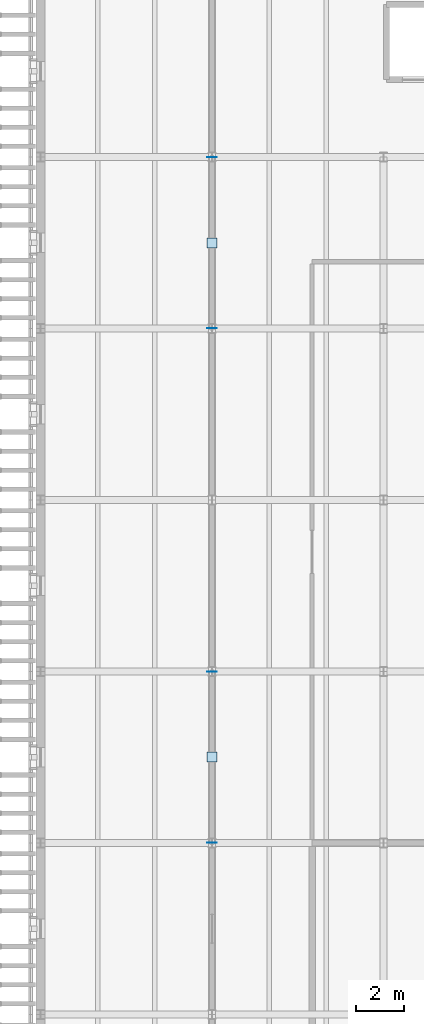
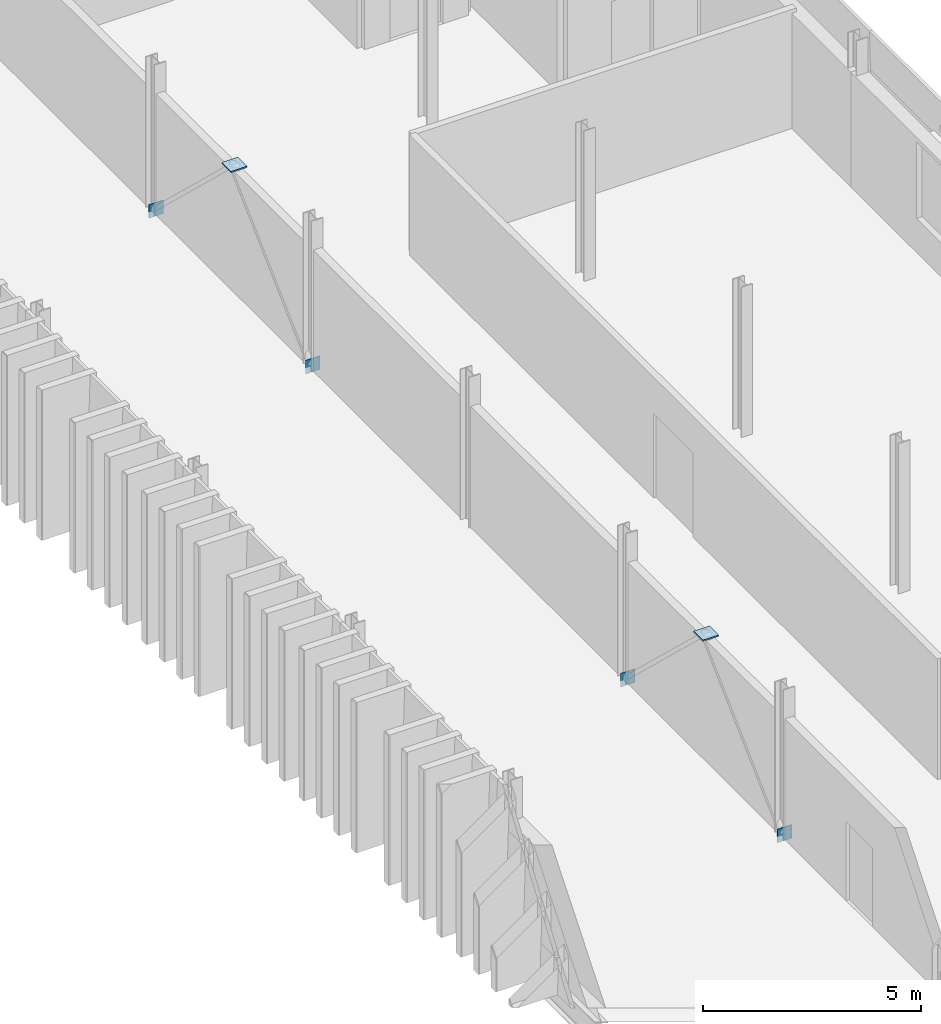
# One storey, part 35 of 66: 6 plates.
"""IFC4 building model written with IfcOpenShell, lengths in metres."""

from ifc_helpers import new_model, si_unit, direction, frame, origin, origin_2d, place, context, subcontext, project, spatial, rectangle, extrude, material, layer, layer_set, type_object, element, save


model = new_model("IFC4")

# Units and contexts
model_context = context("Model", 3, precision=1e-05, world=origin(), true_north=direction((0.0, 1.0)))
body_context = subcontext(model_context, "Body", "Model", "MODEL_VIEW")
ifc_project = project(units=[si_unit("LENGTHUNIT", "METRE"), si_unit("AREAUNIT", "SQUARE_METRE"), si_unit("VOLUMEUNIT", "CUBIC_METRE"), si_unit("PLANEANGLEUNIT", "RADIAN"), si_unit("MASSUNIT", "GRAM", prefix="KILO")], contexts=[model_context])

# Site, building, storey
site_placement = place(None, origin())
site = spatial("IfcSite", under=ifc_project, at=site_placement, CompositionType="ELEMENT")
building_placement = place(site_placement, origin())
building = spatial("IfcBuilding", under=site, at=building_placement, Name="Narikvali Park Central Library", CompositionType="ELEMENT")
storey_placement = place(building_placement, frame((0.0, 0.0, 18.60009765625)))
storey = spatial("IfcBuildingStorey", under=building, at=storey_placement, Name="L04", CompositionType="ELEMENT", Elevation=18.60009765625)

# Plates
ifc_material = material(Name="Steel S355", Category="steel")
ifc_layer_1 = layer(ifc_material, 0.013916015625, Name="Steel S355")
ifc_layer_set_1 = layer_set([ifc_layer_1], Name="Steel S355")
plate_type_1 = type_object("IfcPlateType", Name="Steel Hollow End Cap Plate 14", PredefinedType="SHEET", material=ifc_layer_set_1)
for number, where, z_axis, x_axis, name in (
    (1, (7.199951171875, 72.01220703125, -0.177734375), (0.0, 0.0, 1.0), (-1.0, 0.0, 0.0), "Hollow Section Steel End Cap BR-ECAP-1-L04-A0"),
    (2, (7.199951171875, 79.18798828125, -0.177734375), (0.0, 0.0, 1.0), (1.0, 0.0, 0.0), "Hollow Section Steel End Cap BR-ECAP-1-L04-B0"),
    (3, (7.199951171875, 93.612060546875, -0.177734375), (0.0, 0.0, 1.0), (-1.0, 0.0, 0.0), "Hollow Section Steel End Cap BR-ECAP-2-L04-A0"),
    (4, (7.199951171875, 100.787841796875, -0.177734375), (0.0, 0.0, 1.0), (1.0, 0.0, 0.0), "Hollow Section Steel End Cap BR-ECAP-2-L04-B0"),
):
    element("IfcPlate", number, at=place(storey_placement, frame(where, z_axis=z_axis, x_axis=x_axis)), inside=storey, type_object=plate_type_1, Name=name, PredefinedType="SHEET", context=body_context, shape_type="SweptSolid", body=[
        extrude(rectangle(XDim=0.3798828125, YDim=0.013916015625, at=origin_2d()), origin(), (0.0, 0.0, 1.0), 0.3798828125),
    ])
ifc_layer_2 = layer(ifc_material, 0.0380859375, Name="Steel S355")
ifc_layer_set_2 = layer_set([ifc_layer_2], Name="Steel S355")
plate_type_2 = type_object("IfcPlateType", Name="Truss Splice Gusset Plate 38", PredefinedType="SHEET", material=ifc_layer_set_2)
for number, where, z_axis, x_axis, name in (
    (5, (7.199951171875, 75.60009765625, 3.40087890625), (0.0, 0.0, 1.0), (1.0, 0.0, 0.0), "V5 L04 Chevron Apex Gusset Cap Plate"),
    (6, (7.199951171875, 97.199951171875, 3.40087890625), (0.0, 0.0, 1.0), (1.0, 0.0, 0.0), "V5 L04 Chevron Apex Gusset Cap Plate"),
):
    element("IfcPlate", number, at=place(storey_placement, frame(where, z_axis=z_axis, x_axis=x_axis)), inside=storey, type_object=plate_type_2, Name=name, PredefinedType="SHEET", context=body_context, shape_type="SweptSolid", body=[
        extrude(rectangle(XDim=0.419921875, YDim=0.419921875, at=origin_2d()), origin(), (0.0, 0.0, 1.0), 0.0380859375),
    ])

save(model, "model.ifc")
